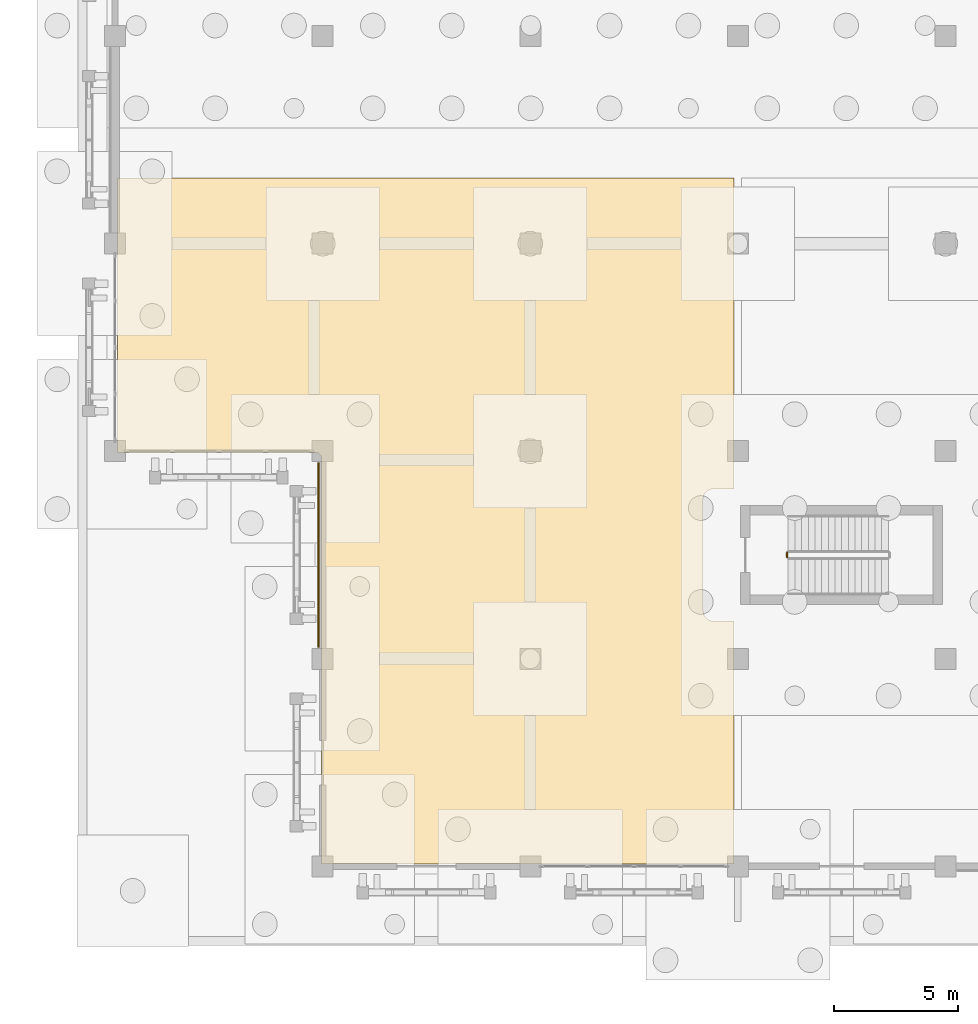
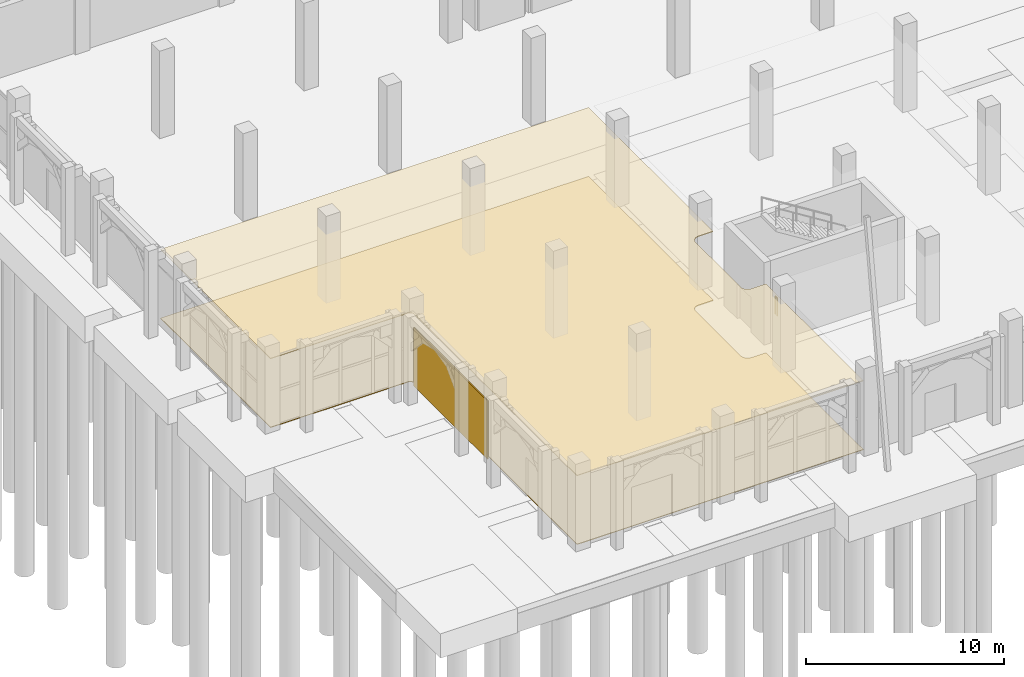
# One storey, part 78 of 98: 3 coverings, 1 railing.
"""IFC4 building model written with IfcOpenShell, lengths in metres."""

from ifc_helpers import new_model, si_unit, direction, frame, origin, origin_2d, place, context, subcontext, project, spatial, polyline, rectangle, circle, outline, extrude, material, layer, layer_set, type_object, element, save


model = new_model("IFC4")

# Units and contexts
model_context = context("Model", 3, precision=1e-05, world=origin(), true_north=direction((0.0, 1.0)))
body_context = subcontext(model_context, "Body", "Model", "MODEL_VIEW")
ifc_project = project(units=[si_unit("LENGTHUNIT", "METRE"), si_unit("AREAUNIT", "SQUARE_METRE"), si_unit("VOLUMEUNIT", "CUBIC_METRE"), si_unit("PLANEANGLEUNIT", "RADIAN"), si_unit("MASSUNIT", "GRAM", prefix="KILO")], contexts=[model_context])

# Site, building, storey
site_placement = place(None, origin())
site = spatial("IfcSite", under=ifc_project, at=site_placement, CompositionType="ELEMENT")
building_placement = place(site_placement, origin())
building = spatial("IfcBuilding", under=site, at=building_placement, Name="Xazarin Passage Department Store", CompositionType="ELEMENT")
storey_placement = place(building_placement, origin())
storey = spatial("IfcBuildingStorey", under=building, at=storey_placement, Name="L00", CompositionType="ELEMENT", Elevation=0.0)

# Coverings
ifc_material_1 = material(Name="Absheron limestone cladding", Category="masonry")
ifc_layer_1 = layer(ifc_material_1, 0.06005859375)
ifc_layer_set_1 = layer_set([ifc_layer_1], Name="Absheron limestone cladding")
covering_type_1 = type_object("IfcCoveringType", Name="ARC-COV-CLD060", PredefinedType="CLADDING", material=ifc_layer_set_1)
covering_1_placement = place(storey_placement, frame((8.22998046875, 12.60009765625, 0.0), z_axis=(0.0, 0.0, 1.0), x_axis=(0.0, 1.0, 0.0)))
element("IfcCovering", 1, at=covering_1_placement, inside=storey, type_object=covering_type_1, Name="L00 Absheron Limestone Plinth Cladding 198", PredefinedType="CLADDING", context=body_context, shape_type="SweptSolid", body=[
    extrude(rectangle(XDim=7.449951171875, YDim=0.06005859375, at=origin_2d()), origin(), (0.0, 0.0, 1.0), 3.60009765625),
])
ifc_material_2 = material(Name="Acoustic mineral ceiling")
ifc_layer_2 = layer(ifc_material_2, 0.0400390625)
ifc_layer_set_2 = layer_set([ifc_layer_2], Name="Acoustic mineral ceiling")
covering_type_2 = type_object("IfcCoveringType", Name="ARC-COV-CLG040", PredefinedType="CEILING", material=ifc_layer_set_2)
covering_2_placement = place(storey_placement, frame((0.0, 0.0, 4.239990234375)))
element("IfcCovering", 2, at=covering_2_placement, inside=storey, type_object=covering_type_2, Name="L00 Food Hall Acoustic Ceiling", PredefinedType="CEILING", context=body_context, shape_type="SweptSolid", body=[
    extrude(outline(polyline([(25.050048828125, 9.929931640625), (24.199951171875, 9.929931640625), (24.160888671875, 9.931884765625), (24.1220703125, 9.937744140625), (24.083984375, 9.947265625), (24.046875, 9.96044921875), (24.011474609375, 9.977294921875), (23.977783203125, 9.997314453125), (23.9462890625, 10.020751953125), (23.917236328125, 10.047119140625), (23.890869140625, 10.076171875), (23.867431640625, 10.10791015625), (23.84716796875, 10.141357421875), (23.830322265625, 10.177001953125), (23.817138671875, 10.2138671875), (23.8076171875, 10.251953125), (23.802001953125, 10.290771484375), (23.800048828125, 10.330078125), (23.800048828125, 14.8701171875), (23.802001953125, 14.9091796875), (23.8076171875, 14.947998046875), (23.817138671875, 14.986083984375), (23.830322265625, 15.023193359375), (23.84716796875, 15.05859375), (23.867431640625, 15.09228515625), (23.890869140625, 15.123779296875), (23.917236328125, 15.15283203125), (23.9462890625, 15.17919921875), (23.977783203125, 15.20263671875), (24.011474609375, 15.222900390625), (24.046875, 15.239501953125), (24.083984375, 15.252685546875), (24.1220703125, 15.26220703125), (24.160888671875, 15.26806640625), (24.199951171875, 15.27001953125), (25.050048828125, 15.27001953125), (25.050048828125, 27.85009765625), (0.10009765625, 27.85009765625), (0.10009765625, 16.75), (8.10009765625, 16.75), (8.12451171875, 16.748779296875), (8.148681640625, 16.7451171875), (8.172607421875, 16.7392578125), (8.19580078125, 16.73095703125), (8.2177734375, 16.720458984375), (8.239013671875, 16.7080078125), (8.258544921875, 16.693359375), (8.27685546875, 16.6767578125), (8.293212890625, 16.65869140625), (8.307861328125, 16.638916015625), (8.320556640625, 16.617919921875), (8.3310546875, 16.595703125), (8.339111328125, 16.572509765625), (8.34521484375, 16.548828125), (8.348876953125, 16.5244140625), (8.35009765625, 16.5), (8.35009765625, 0.10009765625), (25.050048828125, 0.10009765625), (25.050048828125, 9.929931640625)])), origin(), (0.0, 0.0, 1.0), 0.0400390625),
])
ifc_material_3 = material(Name="Terrazzo stone flooring", Category="masonry")
ifc_layer_3 = layer(ifc_material_3, 0.034912109375)
ifc_layer_set_3 = layer_set([ifc_layer_3], Name="Terrazzo stone flooring")
covering_type_3 = type_object("IfcCoveringType", Name="ARC-COV-FLR035", PredefinedType="FLOORING", material=ifc_layer_set_3)
covering_3_placement = place(storey_placement, origin())
element("IfcCovering", 3, at=covering_3_placement, inside=storey, type_object=covering_type_3, Name="L00 Food Hall Terrazzo Flooring", PredefinedType="FLOORING", context=body_context, shape_type="SweptSolid", body=[
    extrude(outline(polyline([(25.050048828125, 9.929931640625), (24.199951171875, 9.929931640625), (24.160888671875, 9.931884765625), (24.1220703125, 9.937744140625), (24.083984375, 9.947265625), (24.046875, 9.96044921875), (24.011474609375, 9.977294921875), (23.977783203125, 9.997314453125), (23.9462890625, 10.020751953125), (23.917236328125, 10.047119140625), (23.890869140625, 10.076171875), (23.867431640625, 10.10791015625), (23.84716796875, 10.141357421875), (23.830322265625, 10.177001953125), (23.817138671875, 10.2138671875), (23.8076171875, 10.251953125), (23.802001953125, 10.290771484375), (23.800048828125, 10.330078125), (23.800048828125, 14.8701171875), (23.802001953125, 14.9091796875), (23.8076171875, 14.947998046875), (23.817138671875, 14.986083984375), (23.830322265625, 15.023193359375), (23.84716796875, 15.05859375), (23.867431640625, 15.09228515625), (23.890869140625, 15.123779296875), (23.917236328125, 15.15283203125), (23.9462890625, 15.17919921875), (23.977783203125, 15.20263671875), (24.011474609375, 15.222900390625), (24.046875, 15.239501953125), (24.083984375, 15.252685546875), (24.1220703125, 15.26220703125), (24.160888671875, 15.26806640625), (24.199951171875, 15.27001953125), (25.050048828125, 15.27001953125), (25.050048828125, 27.85009765625), (0.10009765625, 27.85009765625), (0.10009765625, 16.75), (8.10009765625, 16.75), (8.12451171875, 16.748779296875), (8.148681640625, 16.7451171875), (8.172607421875, 16.7392578125), (8.19580078125, 16.73095703125), (8.2177734375, 16.720458984375), (8.239013671875, 16.7080078125), (8.258544921875, 16.693359375), (8.27685546875, 16.6767578125), (8.293212890625, 16.65869140625), (8.307861328125, 16.638916015625), (8.320556640625, 16.617919921875), (8.3310546875, 16.595703125), (8.339111328125, 16.572509765625), (8.34521484375, 16.548828125), (8.348876953125, 16.5244140625), (8.35009765625, 16.5), (8.35009765625, 0.10009765625), (25.050048828125, 0.10009765625), (25.050048828125, 9.929931640625)])), origin(), (0.0, 0.0, 1.0), 0.034912109375),
])

# Railing
ifc_material_4 = material(Name="Steel S355", Category="steel")
railing_type = type_object("IfcRailingType", Name="ARC-RL-GRD112", PredefinedType="GUARDRAIL", material=ifc_material_4)
railing_placement = place(storey_placement, frame((27.18994140625, 12.5, 0.0)))
element("IfcRailing", 4, at=railing_placement, inside=storey, type_object=railing_type, Name="L00 ST8 stair guard 4", PredefinedType="GUARDRAIL", context=body_context, shape_type="SweptSolid", body=[
    extrude(circle(Radius=0.02392578125, at=origin_2d()), frame((0.0, 0.0, 1.076171875), z_axis=(0.0, 1.0, 0.0), x_axis=(-1.0, 0.0, 0.0)), (0.0, 0.0, 1.0), 0.199951171875),
    extrude(circle(Radius=0.02099609375, at=origin_2d()), origin(), (0.0, 0.0, 1.0), 1.0517578125),
    extrude(circle(Radius=0.02099609375, at=origin_2d()), frame((0.0, 0.199951171875, 0.0)), (0.0, 0.0, 1.0), 1.0517578125),
])

save(model, "model.ifc")
